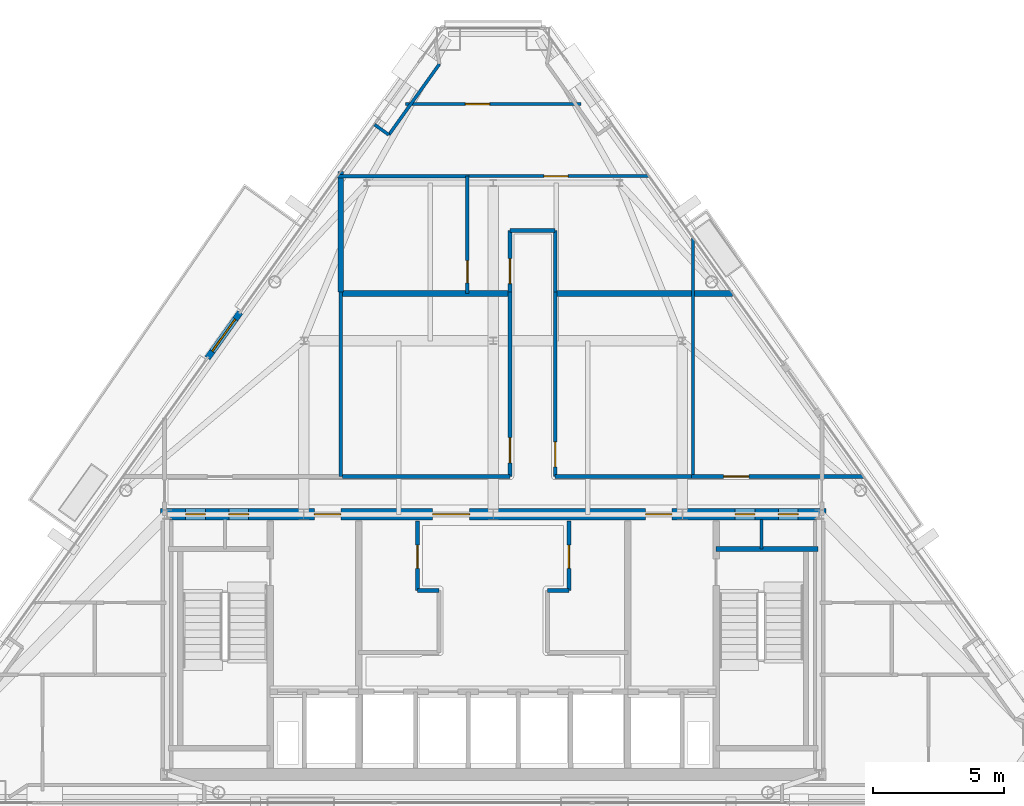
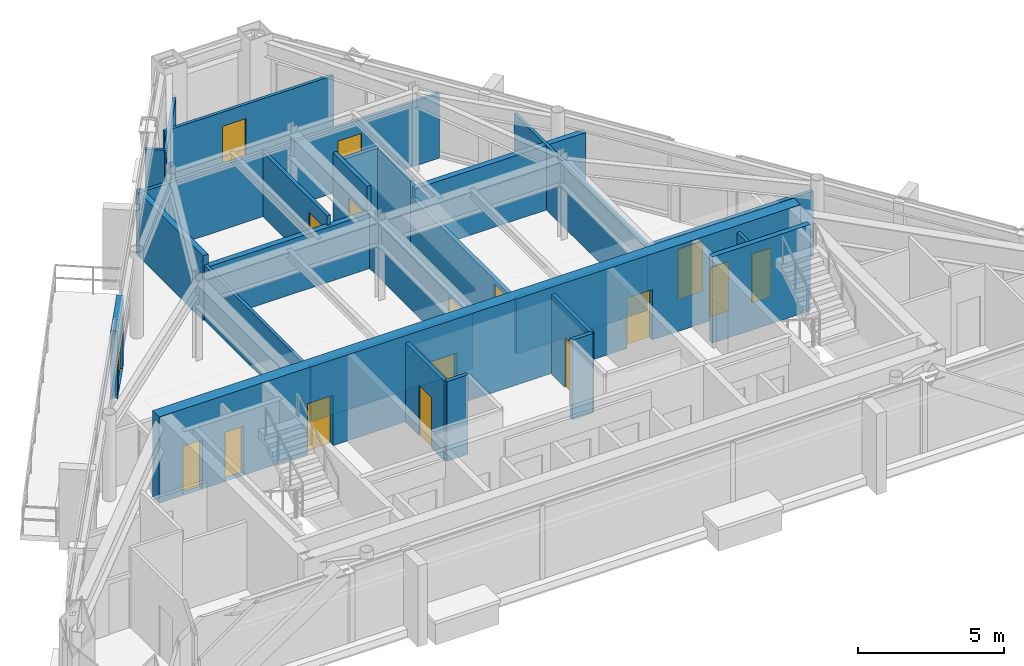
# One storey, part 9 of 12: 27 walls, 17 doors, 17 openings.
"""IFC4 building model written with IfcOpenShell, lengths in metres."""

from ifc_helpers import new_model, si_unit, direction, frame, frame_2d, origin, place, context, subcontext, project, spatial, rectangle, extrude, material, layer, layer_set, type_object, element, fill, save


model = new_model("IFC4")

# Units and contexts
model_context = context("Model", 3, precision=1e-05, world=origin(), true_north=direction((0.0, 1.0)))
body_context = subcontext(model_context, "Body", "Model", "MODEL_VIEW")
ifc_project = project(units=[si_unit("LENGTHUNIT", "METRE"), si_unit("AREAUNIT", "SQUARE_METRE"), si_unit("VOLUMEUNIT", "CUBIC_METRE"), si_unit("PLANEANGLEUNIT", "RADIAN"), si_unit("MASSUNIT", "GRAM", prefix="KILO")], contexts=[model_context])

# Site, building, storey
site_placement = place(None, origin())
site = spatial("IfcSite", under=ifc_project, at=site_placement, CompositionType="ELEMENT")
building_placement = place(site_placement, origin())
building = spatial("IfcBuilding", under=site, at=building_placement, Name="Talgorran Terracotta Tower", CompositionType="ELEMENT")
storey_placement = place(building_placement, frame((0.0, 0.0, 281.39990234375)))
storey = spatial("IfcBuildingStorey", under=building, at=storey_placement, Name="L74", CompositionType="ELEMENT", Elevation=281.39990234375)

# Wall, opening, door
ifc_material_1 = material(Name="Concrete C40/50", Category="concrete")
ifc_layer_1 = layer(ifc_material_1, 0.239990234375, Name="WT_BALCONY_SPAND")
ifc_layer_set_1 = layer_set([ifc_layer_1], Name="Concrete C40/50")
wall_type_1 = type_object("IfcWallType", Name="WT_BALCONY_SPAND", PredefinedType="STANDARD", material=ifc_layer_set_1)
wall_1_placement = place(storey_placement, frame((-9.623291015625, 3.482421875, -0.014892578125), z_axis=(0.0, 0.0, 1.0), x_axis=(-0.581238193719, -0.813733471207, 0.0)))
wall_1 = element("IfcWall", 1, at=wall_1_placement, inside=storey, type_object=wall_type_1, Name="WL-L74-BALP-BAL-NW", PredefinedType="STANDARD", context=body_context, shape_type="SweptSolid", body=[
    extrude(rectangle(XDim=2.14013671875, YDim=0.239990234375, at=frame_2d((1.070068359375, 0.0))), origin(), (0.0, 0.0, 1.0), 2.85302734375),
])
opening_1_placement = place(wall_1_placement, frame((0.320068359375, 0.0, 0.014892578125)))
opening_1 = element("IfcOpeningElement", 2, at=opening_1_placement, cuts=wall_1, Name="Opening D-BAL-L74-2", PredefinedType="OPENING", context=body_context, shape_type="SweptSolid", body=[
    extrude(rectangle(XDim=1.506, YDim=2.203951171875, at=frame_2d((0.75, 1.10205078125))), frame((0.0, 0.1298828125, 0.0), z_axis=(0.0, -1.0, 0.0), x_axis=(1.0, 0.0, 0.0)), (0.0, 0.0, 1.0), 0.260009765625),
])
ifc_material_2 = material(Name="Thermally Broken Aluminium", Category="aluminium")
door_type_1 = type_object("IfcDoorType", Name="DT_BALC_1500", OperationType="SLIDING_TO_RIGHT", PredefinedType="DOOR", material=ifc_material_2)
door_1_placement = place(opening_1_placement, origin())
door_1 = element("IfcDoor", 3, at=door_1_placement, inside=storey, type_object=door_type_1, Name="DR-L74-BAL-BAL-NW", OperationType="SLIDING_TO_RIGHT", OverallHeight=2.199951171875, OverallWidth=1.5, PredefinedType="DOOR", context=body_context, shape_type="SweptSolid", body=[
    extrude(rectangle(XDim=1.5, YDim=2.199951171875, at=frame_2d((0.75, 1.10009765625))), frame((0.0, 0.02490234375, 0.0), z_axis=(0.0, -1.0, 0.0), x_axis=(1.0, 0.0, 0.0)), (0.0, 0.0, 1.0), 0.050048828125),
])
fill(opening_1, door_1)

# Wall
ifc_material_3 = material(Name="Concrete C50/60", Category="concrete")
ifc_layer_2 = layer(ifc_material_3, 0.199951171875, Name="WT_CORE_200")
ifc_layer_set_2 = layer_set([ifc_layer_2], Name="Concrete C50/60")
wall_type_2 = type_object("IfcWallType", Name="WT_CORE_200", PredefinedType="SOLIDWALL", material=ifc_layer_set_2)
wall_2_placement = place(storey_placement, frame((8.47998046875, -5.52001953125, 0.0), z_axis=(0.0, 0.0, 1.0), x_axis=(1.0, 0.0, 0.0)))
element("IfcWall", 4, at=wall_2_placement, inside=storey, type_object=wall_type_2, Name="WL-L74-CW-ST2-N", PredefinedType="SOLIDWALL", context=body_context, shape_type="SweptSolid", body=[
    extrude(rectangle(XDim=3.8701171875, YDim=0.199951171875, at=frame_2d((1.93505859375, 0.0))), origin(), (0.0, 0.0, 1.0), 3.60009765625),
])

# Wall, openings, doors
ifc_material_4 = material(Name="Concrete C65/80", Category="concrete")
ifc_layer_3 = layer(ifc_material_4, 0.449951171875, Name="WT_CORE_EXT")
ifc_layer_set_3 = layer_set([ifc_layer_3], Name="Concrete C65/80")
wall_type_3 = type_object("IfcWallType", Name="WT_CORE_EXT", PredefinedType="SHEAR", material=ifc_layer_set_3)
wall_3_placement = place(storey_placement, frame((-12.64990234375, -4.199951171875, 0.0), z_axis=(0.0, 0.0, 1.0), x_axis=(1.0, 0.0, 0.0)))
wall_3 = element("IfcWall", 5, at=wall_3_placement, inside=storey, type_object=wall_type_3, Name="WL-L74-CW-OUT-N", PredefinedType="SHEAR", context=body_context, shape_type="SweptSolid", body=[
    extrude(rectangle(XDim=25.2998046875, YDim=0.449951171875, at=frame_2d((12.64990234375, 0.0))), origin(), (0.0, 0.0, 1.0), 3.60009765625),
])
opening_2_placement = place(wall_3_placement, frame((0.949951171875, 0.0, 0.0)))
opening_2 = element("IfcOpeningElement", 6, at=opening_2_placement, cuts=wall_3, Name="Opening DR-CSN1", PredefinedType="OPENING", context=body_context, shape_type="SweptSolid", body=[
    extrude(rectangle(XDim=0.756, YDim=2.054048828125, at=frame_2d((0.375, 1.027099609375))), frame((0.0, 0.23486328125, 0.0), z_axis=(0.0, -1.0, 0.0), x_axis=(1.0, 0.0, 0.0)), (0.0, 0.0, 1.0), 0.469970703125),
])
opening_3_placement = place(wall_3_placement, frame((2.60009765625, 0.0, 0.0)))
opening_3 = element("IfcOpeningElement", 7, at=opening_3_placement, cuts=wall_3, Name="Opening DR-CSN2", PredefinedType="OPENING", context=body_context, shape_type="SweptSolid", body=[
    extrude(rectangle(XDim=0.756, YDim=2.054048828125, at=frame_2d((0.375, 1.027099609375))), frame((0.0, 0.23486328125, 0.0), z_axis=(0.0, -1.0, 0.0), x_axis=(1.0, 0.0, 0.0)), (0.0, 0.0, 1.0), 0.469970703125),
])
opening_4_placement = place(wall_3_placement, frame((21.85009765625, 0.0, 0.0)))
opening_4 = element("IfcOpeningElement", 8, at=opening_4_placement, cuts=wall_3, Name="Opening DR-CSN3", PredefinedType="OPENING", context=body_context, shape_type="SweptSolid", body=[
    extrude(rectangle(XDim=0.756, YDim=2.054048828125, at=frame_2d((0.375, 1.027099609375))), frame((0.0, 0.23486328125, 0.0), z_axis=(0.0, -1.0, 0.0), x_axis=(1.0, 0.0, 0.0)), (0.0, 0.0, 1.0), 0.469970703125),
])
opening_5_placement = place(wall_3_placement, frame((23.5, 0.0, 0.0)))
opening_5 = element("IfcOpeningElement", 9, at=opening_5_placement, cuts=wall_3, Name="Opening DR-CSN4", PredefinedType="OPENING", context=body_context, shape_type="SweptSolid", body=[
    extrude(rectangle(XDim=0.756, YDim=2.054048828125, at=frame_2d((0.375, 1.027099609375))), frame((0.0, 0.23486328125, 0.0), z_axis=(0.0, -1.0, 0.0), x_axis=(1.0, 0.0, 0.0)), (0.0, 0.0, 1.0), 0.469970703125),
])
opening_6_placement = place(wall_3_placement, frame((5.85009765625, 0.0, 0.0)))
opening_6 = element("IfcOpeningElement", 10, at=opening_6_placement, cuts=wall_3, Name="Opening DR-FFLW-N", PredefinedType="OPENING", context=body_context, shape_type="SweptSolid", body=[
    extrude(rectangle(XDim=1.006, YDim=2.10409765625, at=frame_2d((0.5, 1.052001953125))), frame((0.0, 0.23486328125, 0.0), z_axis=(0.0, -1.0, 0.0), x_axis=(1.0, 0.0, 0.0)), (0.0, 0.0, 1.0), 0.469970703125),
])
opening_7_placement = place(wall_3_placement, frame((10.35009765625, 0.0, 0.0)))
opening_7 = element("IfcOpeningElement", 11, at=opening_7_placement, cuts=wall_3, Name="Opening DR-PLL-N", PredefinedType="OPENING", context=body_context, shape_type="SweptSolid", body=[
    extrude(rectangle(XDim=1.40590234375, YDim=2.15390234375, at=frame_2d((0.699951171875, 1.076904296875))), frame((0.0, 0.23486328125, 0.0), z_axis=(0.0, -1.0, 0.0), x_axis=(1.0, 0.0, 0.0)), (0.0, 0.0, 1.0), 0.469970703125),
])
opening_8_placement = place(wall_3_placement, frame((18.449951171875, 0.0, 0.0)))
opening_8 = element("IfcOpeningElement", 12, at=opening_8_placement, cuts=wall_3, Name="Opening DR-FFLE-N", PredefinedType="OPENING", context=body_context, shape_type="SweptSolid", body=[
    extrude(rectangle(XDim=1.006, YDim=2.10409765625, at=frame_2d((0.5, 1.052001953125))), frame((0.0, 0.23486328125, 0.0), z_axis=(0.0, -1.0, 0.0), x_axis=(1.0, 0.0, 0.0)), (0.0, 0.0, 1.0), 0.469970703125),
])
ifc_material_5 = material(Name="Acoustic Glazed Timber", Category="wood")
door_type_2 = type_object("IfcDoorType", Name="DT_DOUBLE_1400", OperationType="DOUBLE_DOOR_SINGLE_SWING", PredefinedType="DOOR", material=ifc_material_5)
door_2_placement = place(opening_7_placement, origin())
door_2 = element("IfcDoor", 13, at=door_2_placement, inside=storey, type_object=door_type_2, Name="DR-PLL-N", OperationType="DOUBLE_DOOR_SINGLE_SWING", OverallHeight=2.14990234375, OverallWidth=1.39990234375, PredefinedType="DOOR", context=body_context, shape_type="SweptSolid", body=[
    extrude(rectangle(XDim=1.39990234375, YDim=2.14990234375, at=frame_2d((0.699951171875, 1.074951171875))), frame((0.0, 0.02490234375, 0.0), z_axis=(0.0, -1.0, 0.0), x_axis=(1.0, 0.0, 0.0)), (0.0, 0.0, 1.0), 0.050048828125),
])
fill(opening_7, door_2)
ifc_material_6 = material(Name="Fire-Rated Pressed Steel", Category="steel")
door_type_3 = type_object("IfcDoorType", Name="DT_FIRE_1000", OperationType="NOTDEFINED", PredefinedType="DOOR", material=ifc_material_6)
door_3_placement = place(opening_6_placement, origin())
door_3 = element("IfcDoor", 14, at=door_3_placement, inside=storey, type_object=door_type_3, Name="DR-FFLW-N", OperationType="SINGLE_SWING_LEFT", OverallHeight=2.10009765625, OverallWidth=1.0, PredefinedType="DOOR", context=body_context, shape_type="SweptSolid", body=[
    extrude(rectangle(XDim=1.0, YDim=2.10009765625, at=frame_2d((0.5, 1.050048828125))), frame((0.0, 0.02490234375, 0.0), z_axis=(0.0, -1.0, 0.0), x_axis=(1.0, 0.0, 0.0)), (0.0, 0.0, 1.0), 0.050048828125),
])
fill(opening_6, door_3)
door_4_placement = place(opening_8_placement, origin())
door_4 = element("IfcDoor", 15, at=door_4_placement, inside=storey, type_object=door_type_3, Name="DR-FFLE-N", OperationType="SINGLE_SWING_RIGHT", OverallHeight=2.10009765625, OverallWidth=1.0, PredefinedType="DOOR", context=body_context, shape_type="SweptSolid", body=[
    extrude(rectangle(XDim=1.0, YDim=2.10009765625, at=frame_2d((0.5, 1.050048828125))), frame((0.0, 0.02490234375, 0.0), z_axis=(0.0, -1.0, 0.0), x_axis=(1.0, 0.0, 0.0)), (0.0, 0.0, 1.0), 0.050048828125),
])
fill(opening_8, door_4)
door_type_4 = type_object("IfcDoorType", Name="DT_RISER_750", OperationType="NOTDEFINED", PredefinedType="DOOR", material=ifc_material_6)
door_5_placement = place(opening_2_placement, origin())
door_5 = element("IfcDoor", 16, at=door_5_placement, inside=storey, type_object=door_type_4, Name="DR-CSN1", OperationType="SINGLE_SWING_LEFT", OverallHeight=2.050048828125, OverallWidth=0.75, PredefinedType="DOOR", context=body_context, shape_type="SweptSolid", body=[
    extrude(rectangle(XDim=0.75, YDim=2.050048828125, at=frame_2d((0.375, 1.02490234375))), frame((0.0, 0.02490234375, 0.0), z_axis=(0.0, -1.0, 0.0), x_axis=(1.0, 0.0, 0.0)), (0.0, 0.0, 1.0), 0.050048828125),
])
fill(opening_2, door_5)
door_6_placement = place(opening_3_placement, origin())
door_6 = element("IfcDoor", 17, at=door_6_placement, inside=storey, type_object=door_type_4, Name="DR-CSN2", OperationType="SINGLE_SWING_RIGHT", OverallHeight=2.050048828125, OverallWidth=0.75, PredefinedType="DOOR", context=body_context, shape_type="SweptSolid", body=[
    extrude(rectangle(XDim=0.75, YDim=2.050048828125, at=frame_2d((0.375, 1.02490234375))), frame((0.0, 0.02490234375, 0.0), z_axis=(0.0, -1.0, 0.0), x_axis=(1.0, 0.0, 0.0)), (0.0, 0.0, 1.0), 0.050048828125),
])
fill(opening_3, door_6)
door_7_placement = place(opening_4_placement, origin())
door_7 = element("IfcDoor", 18, at=door_7_placement, inside=storey, type_object=door_type_4, Name="DR-CSN3", OperationType="SINGLE_SWING_LEFT", OverallHeight=2.050048828125, OverallWidth=0.75, PredefinedType="DOOR", context=body_context, shape_type="SweptSolid", body=[
    extrude(rectangle(XDim=0.75, YDim=2.050048828125, at=frame_2d((0.375, 1.02490234375))), frame((0.0, 0.02490234375, 0.0), z_axis=(0.0, -1.0, 0.0), x_axis=(1.0, 0.0, 0.0)), (0.0, 0.0, 1.0), 0.050048828125),
])
fill(opening_4, door_7)
door_8_placement = place(opening_5_placement, origin())
door_8 = element("IfcDoor", 19, at=door_8_placement, inside=storey, type_object=door_type_4, Name="DR-CSN4", OperationType="SINGLE_SWING_RIGHT", OverallHeight=2.050048828125, OverallWidth=0.75, PredefinedType="DOOR", context=body_context, shape_type="SweptSolid", body=[
    extrude(rectangle(XDim=0.75, YDim=2.050048828125, at=frame_2d((0.375, 1.02490234375))), frame((0.0, 0.02490234375, 0.0), z_axis=(0.0, -1.0, 0.0), x_axis=(1.0, 0.0, 0.0)), (0.0, 0.0, 1.0), 0.050048828125),
])
fill(opening_5, door_8)

# Wall
ifc_material_7 = material(Name="Fire-Rated Steel Stud Plasterboard", Category="steel")
ifc_layer_4 = layer(ifc_material_7, 0.14990234375, Name="WT_FIRE_150")
ifc_layer_set_4 = layer_set([ifc_layer_4], Name="Fire-Rated Steel Stud Plasterboard")
wall_type_4 = type_object("IfcWallType", Name="WT_FIRE_150", PredefinedType="PARTITIONING", material=ifc_layer_set_4)
wall_4_placement = place(storey_placement, frame((-2.8798828125, -7.10009765625, 0.0), z_axis=(0.0, 0.0, 1.0), x_axis=(1.0, 0.0, 0.0)))
element("IfcWall", 20, at=wall_4_placement, inside=storey, type_object=wall_type_4, Name="WL-L74-CW-H-W3M2", PredefinedType="PARTITIONING", context=body_context, shape_type="SweptSolid", body=[
    extrude(rectangle(XDim=0.81982421875, YDim=0.14990234375, at=frame_2d((0.409912109375, 0.0))), origin(), (0.0, 0.0, 1.0), 3.320068359375),
])

# Wall, opening, door
wall_5_placement = place(storey_placement, frame((-2.8798828125, -7.10009765625, 0.0), z_axis=(0.0, 0.0, 1.0), x_axis=(0.0, 1.0, 0.0)))
wall_5 = element("IfcWall", 21, at=wall_5_placement, inside=storey, type_object=wall_type_4, Name="WL-L74-CW-V-W3N", PredefinedType="PARTITIONING", context=body_context, shape_type="SweptSolid", body=[
    extrude(rectangle(XDim=2.650146484375, YDim=0.14990234375, at=frame_2d((1.3251953125, 0.0))), origin(), (0.0, 0.0, 1.0), 3.320068359375),
])
opening_9_placement = place(wall_5_placement, frame((0.85009765625, 0.0, 0.0)))
opening_9 = element("IfcOpeningElement", 22, at=opening_9_placement, cuts=wall_5, Name="Opening DR-FRPLL-B", PredefinedType="OPENING", context=body_context, shape_type="SweptSolid", body=[
    extrude(rectangle(XDim=0.8858828125, YDim=2.10409765625, at=frame_2d((0.43994140625, 1.052001953125))), frame((0.0, 0.0849609375, 0.0), z_axis=(0.0, -1.0, 0.0), x_axis=(1.0, 0.0, 0.0)), (0.0, 0.0, 1.0), 0.169921875),
])
ifc_material_8 = material(Name="Solid-Core Painted Timber", Category="wood")
door_type_5 = type_object("IfcDoorType", Name="DT_INT_880", OperationType="NOTDEFINED", PredefinedType="DOOR", material=ifc_material_8)
door_9_placement = place(opening_9_placement, origin())
door_9 = element("IfcDoor", 23, at=door_9_placement, inside=storey, type_object=door_type_5, Name="DR-FRPLL-B", OperationType="SINGLE_SWING_LEFT", OverallHeight=2.10009765625, OverallWidth=0.8798828125, PredefinedType="DOOR", context=body_context, shape_type="SweptSolid", body=[
    extrude(rectangle(XDim=0.8798828125, YDim=2.10009765625, at=frame_2d((0.43994140625, 1.050048828125))), frame((0.0, 0.02490234375, 0.0), z_axis=(0.0, -1.0, 0.0), x_axis=(1.0, 0.0, 0.0)), (0.0, 0.0, 1.0), 0.050048828125),
])
fill(opening_9, door_9)

# Wall
wall_6_placement = place(storey_placement, frame((2.06005859375, -7.10009765625, 0.0), z_axis=(0.0, 0.0, 1.0), x_axis=(1.0, 0.0, 0.0)))
element("IfcWall", 24, at=wall_6_placement, inside=storey, type_object=wall_type_4, Name="WL-L74-CW-H-E3M2", PredefinedType="PARTITIONING", context=body_context, shape_type="SweptSolid", body=[
    extrude(rectangle(XDim=0.81982421875, YDim=0.14990234375, at=frame_2d((0.409912109375, 0.0))), origin(), (0.0, 0.0, 1.0), 3.320068359375),
])

# Wall, opening, door
wall_7_placement = place(storey_placement, frame((2.8798828125, -7.10009765625, 0.0), z_axis=(0.0, 0.0, 1.0), x_axis=(0.0, 1.0, 0.0)))
wall_7 = element("IfcWall", 25, at=wall_7_placement, inside=storey, type_object=wall_type_4, Name="WL-L74-CW-V-E3N", PredefinedType="PARTITIONING", context=body_context, shape_type="SweptSolid", body=[
    extrude(rectangle(XDim=2.650146484375, YDim=0.14990234375, at=frame_2d((1.3251953125, 0.0))), origin(), (0.0, 0.0, 1.0), 3.320068359375),
])
opening_10_placement = place(wall_7_placement, frame((0.85009765625, 0.0, 0.0)))
opening_10 = element("IfcOpeningElement", 26, at=opening_10_placement, cuts=wall_7, Name="Opening DR-FRPLM-B", PredefinedType="OPENING", context=body_context, shape_type="SweptSolid", body=[
    extrude(rectangle(XDim=0.8858828125, YDim=2.10409765625, at=frame_2d((0.43994140625, 1.052001953125))), frame((0.0, 0.0849609375, 0.0), z_axis=(0.0, -1.0, 0.0), x_axis=(1.0, 0.0, 0.0)), (0.0, 0.0, 1.0), 0.169921875),
])
door_10_placement = place(opening_10_placement, origin())
door_10 = element("IfcDoor", 27, at=door_10_placement, inside=storey, type_object=door_type_5, Name="DR-FRPLM-B", OperationType="SINGLE_SWING_RIGHT", OverallHeight=2.10009765625, OverallWidth=0.8798828125, PredefinedType="DOOR", context=body_context, shape_type="SweptSolid", body=[
    extrude(rectangle(XDim=0.8798828125, YDim=2.10009765625, at=frame_2d((0.43994140625, 1.050048828125))), frame((0.0, 0.02490234375, 0.0), z_axis=(0.0, -1.0, 0.0), x_axis=(1.0, 0.0, 0.0)), (0.0, 0.0, 1.0), 0.050048828125),
])
fill(opening_10, door_10)

wall_8_placement = place(storey_placement, frame((0.639892578125, -2.760009765625, 0.0), z_axis=(0.0, 0.0, 1.0), x_axis=(0.0, 1.0, 0.0)))
wall_8 = element("IfcWall", 28, at=wall_8_placement, inside=storey, type_object=wall_type_4, Name="WL-L74-W-L74-R05", PredefinedType="PARTITIONING", context=body_context, shape_type="SweptSolid", body=[
    extrude(rectangle(XDim=7.02001953125, YDim=0.14990234375, at=frame_2d((3.510009765625, 0.0))), origin(), (0.0, 0.0, 1.0), 2.295166015625),
])
opening_11_placement = place(wall_8_placement, frame((0.519287109375, 0.0, 0.0)))
opening_11 = element("IfcOpeningElement", 29, at=opening_11_placement, cuts=wall_8, Name="Opening DR-L74-R12", PredefinedType="OPENING", context=body_context, shape_type="SweptSolid", body=[
    extrude(rectangle(XDim=0.955951171875, YDim=2.10409765625, at=frame_2d((0.47509765625, 1.052001953125))), frame((0.0, 0.0849609375, 0.0), z_axis=(0.0, -1.0, 0.0), x_axis=(1.0, 0.0, 0.0)), (0.0, 0.0, 1.0), 0.169921875),
])
ifc_material_9 = material(Name="Fire-Rated Timber Core", Category="wood")
door_type_6 = type_object("IfcDoorType", Name="DT_FIRE_950", OperationType="NOTDEFINED", PredefinedType="DOOR", material=ifc_material_9)
door_11_placement = place(opening_11_placement, origin())
door_11 = element("IfcDoor", 30, at=door_11_placement, inside=storey, type_object=door_type_6, Name="DR-L74-R12", OperationType="SINGLE_SWING_RIGHT", OverallHeight=2.10009765625, OverallWidth=0.949951171875, PredefinedType="DOOR", context=body_context, shape_type="SweptSolid", body=[
    extrude(rectangle(XDim=0.949951171875, YDim=2.10009765625, at=frame_2d((0.47509765625, 1.050048828125))), frame((0.0, 0.02490234375, 0.0), z_axis=(0.0, -1.0, 0.0), x_axis=(1.0, 0.0, 0.0)), (0.0, 0.0, 1.0), 0.050048828125),
])
fill(opening_11, door_11)

wall_9_placement = place(storey_placement, frame((2.360107421875, -2.760009765625, 0.0), z_axis=(0.0, 0.0, 1.0), x_axis=(0.0, 1.0, 0.0)))
wall_9 = element("IfcWall", 31, at=wall_9_placement, inside=storey, type_object=wall_type_4, Name="WL-L74-W-L74-R06", PredefinedType="PARTITIONING", context=body_context, shape_type="SweptSolid", body=[
    extrude(rectangle(XDim=7.02001953125, YDim=0.14990234375, at=frame_2d((3.510009765625, 0.0))), origin(), (0.0, 0.0, 1.0), 2.295166015625),
])
opening_12_placement = place(wall_9_placement, frame((0.359619140625, 0.0, 0.0)))
opening_12 = element("IfcOpeningElement", 32, at=opening_12_placement, cuts=wall_9, Name="Opening DR-L74-R13", PredefinedType="OPENING", context=body_context, shape_type="SweptSolid", body=[
    extrude(rectangle(XDim=0.955951171875, YDim=2.10409765625, at=frame_2d((0.47509765625, 1.052001953125))), frame((0.0, 0.0849609375, 0.0), z_axis=(0.0, -1.0, 0.0), x_axis=(1.0, 0.0, 0.0)), (0.0, 0.0, 1.0), 0.169921875),
])
door_12_placement = place(opening_12_placement, origin())
door_12 = element("IfcDoor", 33, at=door_12_placement, inside=storey, type_object=door_type_6, Name="DR-L74-R13", OperationType="SINGLE_SWING_LEFT", OverallHeight=2.10009765625, OverallWidth=0.949951171875, PredefinedType="DOOR", context=body_context, shape_type="SweptSolid", body=[
    extrude(rectangle(XDim=0.949951171875, YDim=2.10009765625, at=frame_2d((0.47509765625, 1.050048828125))), frame((0.0, 0.02490234375, 0.0), z_axis=(0.0, -1.0, 0.0), x_axis=(1.0, 0.0, 0.0)), (0.0, 0.0, 1.0), 0.050048828125),
])
fill(opening_12, door_12)

wall_10_placement = place(storey_placement, frame((7.5400390625, -2.760009765625, 0.0), z_axis=(0.0, 0.0, 1.0), x_axis=(1.0, 0.0, 0.0)))
wall_10 = element("IfcWall", 34, at=wall_10_placement, inside=storey, type_object=wall_type_4, Name="WL-L74-W-L74-R08", PredefinedType="PARTITIONING", context=body_context, shape_type="SweptSolid", body=[
    extrude(rectangle(XDim=6.542236328125, YDim=0.14990234375, at=frame_2d((3.27099609375, 0.0))), origin(), (0.0, 0.0, 1.0), 2.693115234375),
])
opening_13_placement = place(wall_10_placement, frame((1.231201171875, 0.0, 0.0)))
opening_13 = element("IfcOpeningElement", 35, at=opening_13_placement, cuts=wall_10, Name="Opening DR-L74-R14", PredefinedType="OPENING", context=body_context, shape_type="SweptSolid", body=[
    extrude(rectangle(XDim=0.955951171875, YDim=2.10409765625, at=frame_2d((0.47509765625, 1.052001953125))), frame((0.0, 0.0849609375, 0.0), z_axis=(0.0, -1.0, 0.0), x_axis=(1.0, 0.0, 0.0)), (0.0, 0.0, 1.0), 0.169921875),
])
door_13_placement = place(opening_13_placement, origin())
door_13 = element("IfcDoor", 36, at=door_13_placement, inside=storey, type_object=door_type_6, Name="DR-L74-R14", OperationType="SINGLE_SWING_RIGHT", OverallHeight=2.10009765625, OverallWidth=0.949951171875, PredefinedType="DOOR", context=body_context, shape_type="SweptSolid", body=[
    extrude(rectangle(XDim=0.949951171875, YDim=2.10009765625, at=frame_2d((0.47509765625, 1.050048828125))), frame((0.0, 0.02490234375, 0.0), z_axis=(0.0, -1.0, 0.0), x_axis=(1.0, 0.0, 0.0)), (0.0, 0.0, 1.0), 0.050048828125),
])
fill(opening_13, door_13)

# Walls
wall_11_placement = place(storey_placement, frame((-5.738037109375, -2.760009765625, 0.0), z_axis=(0.0, 0.0, 1.0), x_axis=(1.0, 0.0, 0.0)))
element("IfcWall", 37, at=wall_11_placement, inside=storey, type_object=wall_type_4, Name="WL-L74-W-L74-R04", PredefinedType="PARTITIONING", context=body_context, shape_type="SweptSolid", body=[
    extrude(rectangle(XDim=6.3779296875, YDim=0.14990234375, at=frame_2d((3.18896484375, 0.0))), origin(), (0.0, 0.0, 1.0), 2.295166015625),
])
wall_12_placement = place(storey_placement, frame((2.360107421875, -2.760009765625, 0.0), z_axis=(0.0, 0.0, 1.0), x_axis=(1.0, 0.0, 0.0)))
element("IfcWall", 38, at=wall_12_placement, inside=storey, type_object=wall_type_4, Name="WL-L74-W-L74-R07", PredefinedType="PARTITIONING", context=body_context, shape_type="SweptSolid", body=[
    extrude(rectangle(XDim=5.177978515625, YDim=0.14990234375, at=frame_2d((2.5888671875, 0.0))), origin(), (0.0, 0.0, 1.0), 2.295166015625),
])

# Wall, opening, door
wall_13_placement = place(storey_placement, frame((0.639892578125, 4.261962890625, 0.0), z_axis=(0.0, 0.0, 1.0), x_axis=(0.0, 1.0, 0.0)))
wall_13 = element("IfcWall", 39, at=wall_13_placement, inside=storey, type_object=wall_type_4, Name="WL-L74-W-L74-R09", PredefinedType="PARTITIONING", context=body_context, shape_type="SweptSolid", body=[
    extrude(rectangle(XDim=2.338134765625, YDim=0.14990234375, at=frame_2d((1.1689453125, 0.0))), origin(), (0.0, 0.0, 1.0), 3.320068359375),
])
opening_14_placement = place(wall_13_placement, frame((0.3154296875, 0.0, 0.0)))
opening_14 = element("IfcOpeningElement", 40, at=opening_14_placement, cuts=wall_13, Name="Opening DR-L74-R15", PredefinedType="OPENING", context=body_context, shape_type="SweptSolid", body=[
    extrude(rectangle(XDim=0.955951171875, YDim=2.10409765625, at=frame_2d((0.47509765625, 1.052001953125))), frame((0.0, 0.0849609375, 0.0), z_axis=(0.0, -1.0, 0.0), x_axis=(1.0, 0.0, 0.0)), (0.0, 0.0, 1.0), 0.169921875),
])
door_14_placement = place(opening_14_placement, origin())
door_14 = element("IfcDoor", 41, at=door_14_placement, inside=storey, type_object=door_type_6, Name="DR-L74-R15", OperationType="SINGLE_SWING_LEFT", OverallHeight=2.10009765625, OverallWidth=0.949951171875, PredefinedType="DOOR", context=body_context, shape_type="SweptSolid", body=[
    extrude(rectangle(XDim=0.949951171875, YDim=2.10009765625, at=frame_2d((0.47509765625, 1.050048828125))), frame((0.0, 0.02490234375, 0.0), z_axis=(0.0, -1.0, 0.0), x_axis=(1.0, 0.0, 0.0)), (0.0, 0.0, 1.0), 0.050048828125),
])
fill(opening_14, door_14)

# Walls
wall_14_placement = place(storey_placement, frame((2.360107421875, 4.261962890625, 0.0), z_axis=(0.0, 0.0, 1.0), x_axis=(0.0, 1.0, 0.0)))
element("IfcWall", 42, at=wall_14_placement, inside=storey, type_object=wall_type_4, Name="WL-L74-W-L74-R11", PredefinedType="PARTITIONING", context=body_context, shape_type="SweptSolid", body=[
    extrude(rectangle(XDim=2.338134765625, YDim=0.14990234375, at=frame_2d((1.1689453125, 0.0))), origin(), (0.0, 0.0, 1.0), 2.939453125),
])
wall_15_placement = place(storey_placement, frame((0.639892578125, 6.60009765625, 0.0), z_axis=(0.0, 0.0, 1.0), x_axis=(1.0, 0.0, 0.0)))
element("IfcWall", 43, at=wall_15_placement, inside=storey, type_object=wall_type_4, Name="WL-L74-W-L74-R10", PredefinedType="PARTITIONING", context=body_context, shape_type="SweptSolid", body=[
    extrude(rectangle(XDim=1.72021484375, YDim=0.14990234375, at=frame_2d((0.860107421875, 0.0))), origin(), (0.0, 0.0, 1.0), 2.939453125),
])
ifc_material_10 = material(Name="Acoustic Masonry and Plasterboard", Category="masonry")
ifc_layer_5 = layer(ifc_material_10, 0.219970703125, Name="WT_PARTY_220")
ifc_layer_set_5 = layer_set([ifc_layer_5], Name="Acoustic Masonry and Plasterboard")
wall_type_5 = type_object("IfcWallType", Name="WT_PARTY_220", PredefinedType="PARTITIONING", material=ifc_layer_set_5)
wall_16_placement = place(storey_placement, frame((2.360107421875, 4.199951171875, 0.0), z_axis=(0.0, 0.0, 1.0), x_axis=(1.0, 0.0, 0.0)))
element("IfcWall", 44, at=wall_16_placement, inside=storey, type_object=wall_type_5, Name="WL-L74-W-L74-R32", PredefinedType="PARTITIONING", context=body_context, shape_type="SweptSolid", body=[
    extrude(rectangle(XDim=6.75048828125, YDim=0.219970703125, at=frame_2d((3.375244140625, 0.0))), origin(), (0.0, 0.0, 1.0), 2.693115234375),
])
wall_17_placement = place(storey_placement, frame((-5.800048828125, 4.199951171875, 0.0), z_axis=(0.0, 0.0, 1.0), x_axis=(1.0, 0.0, 0.0)))
element("IfcWall", 45, at=wall_17_placement, inside=storey, type_object=wall_type_5, Name="WL-L74-W-L74-R30", PredefinedType="PARTITIONING", context=body_context, shape_type="SweptSolid", body=[
    extrude(rectangle(XDim=6.43994140625, YDim=0.219970703125, at=frame_2d((3.219970703125, 0.0))), origin(), (0.0, 0.0, 1.0), 2.295166015625),
])
wall_18_placement = place(storey_placement, frame((-5.800048828125, 4.261962890625, 0.0), z_axis=(0.0, 0.0, 1.0), x_axis=(0.0, 1.0, 0.0)))
element("IfcWall", 46, at=wall_18_placement, inside=storey, type_object=wall_type_5, Name="WL-L74-W-L74-R28", PredefinedType="PARTITIONING", context=body_context, shape_type="SweptSolid", body=[
    extrude(rectangle(XDim=4.572998046875, YDim=0.219970703125, at=frame_2d((2.28662109375, 0.0))), origin(), (0.0, 0.0, 1.0), 2.693115234375),
])
ifc_material_11 = material(Name="Insulated Steel Stud Plasterboard", Category="steel")
ifc_layer_6 = layer(ifc_material_11, 0.1201171875, Name="WT_PART_120")
ifc_layer_set_6 = layer_set([ifc_layer_6], Name="Insulated Steel Stud Plasterboard")
wall_type_6 = type_object("IfcWallType", Name="WT_PART_120", PredefinedType="PARTITIONING", material=ifc_layer_set_6)
wall_19_placement = place(storey_placement, frame((10.199951171875, -5.52001953125, 0.0), z_axis=(0.0, 0.0, 1.0), x_axis=(0.0, 1.0, 0.0)))
element("IfcWall", 47, at=wall_19_placement, inside=storey, type_object=wall_type_6, Name="WL-L74-CW-CSE-DIV", PredefinedType="PARTITIONING", context=body_context, shape_type="SweptSolid", body=[
    extrude(rectangle(XDim=1.1201171875, YDim=0.1201171875, at=frame_2d((0.56005859375, 0.0))), origin(), (0.0, 0.0, 1.0), 3.320068359375),
])
wall_20_placement = place(storey_placement, frame((7.60009765625, -2.760009765625, 0.0), z_axis=(0.0, 0.0, 1.0), x_axis=(0.0, 1.0, 0.0)))
element("IfcWall", 48, at=wall_20_placement, inside=storey, type_object=wall_type_6, Name="WL-L74-W-L74-R31", PredefinedType="PARTITIONING", context=body_context, shape_type="SweptSolid", body=[
    extrude(rectangle(XDim=9.074951171875, YDim=0.1201171875, at=frame_2d((4.53759765625, 0.0))), origin(), (0.0, 0.0, 1.0), 2.693115234375),
])
wall_21_placement = place(storey_placement, frame((-5.800048828125, -2.760009765625, 0.0), z_axis=(0.0, 0.0, 1.0), x_axis=(0.0, 1.0, 0.0)))
element("IfcWall", 49, at=wall_21_placement, inside=storey, type_object=wall_type_6, Name="WL-L74-W-L74-R27", PredefinedType="PARTITIONING", context=body_context, shape_type="SweptSolid", body=[
    extrude(rectangle(XDim=7.02001953125, YDim=0.1201171875, at=frame_2d((3.510009765625, 0.0))), origin(), (0.0, 0.0, 1.0), 2.295166015625),
])

# Wall, opening, door
wall_22_placement = place(storey_placement, frame((-0.97998046875, 8.659912109375, 0.0), z_axis=(0.0, 0.0, 1.0), x_axis=(1.0, 0.0, 0.0)))
wall_22 = element("IfcWall", 50, at=wall_22_placement, inside=storey, type_object=wall_type_6, Name="WL-L74-W-L74-R33", PredefinedType="PARTITIONING", context=body_context, shape_type="SweptSolid", body=[
    extrude(rectangle(XDim=6.90478515625, YDim=0.1201171875, at=frame_2d((3.452392578125, 0.0))), origin(), (0.0, 0.0, 1.0), 2.693115234375),
])
opening_15_placement = place(wall_22_placement, frame((2.908447265625, 0.0, 0.0)))
opening_15 = element("IfcOpeningElement", 51, at=opening_15_placement, cuts=wall_22, Name="Opening DR-L74-R16", PredefinedType="OPENING", context=body_context, shape_type="SweptSolid", body=[
    extrude(rectangle(XDim=0.925921875, YDim=2.10409765625, at=frame_2d((0.4599609375, 1.052001953125))), frame((0.0, 0.070068359375, 0.0), z_axis=(0.0, -1.0, 0.0), x_axis=(1.0, 0.0, 0.0)), (0.0, 0.0, 1.0), 0.14013671875),
])
door_type_7 = type_object("IfcDoorType", Name="DT_INT_920", OperationType="NOTDEFINED", PredefinedType="DOOR", material=ifc_material_8)
door_15_placement = place(opening_15_placement, origin())
door_15 = element("IfcDoor", 52, at=door_15_placement, inside=storey, type_object=door_type_7, Name="DR-L74-R16", OperationType="SINGLE_SWING_RIGHT", OverallHeight=2.10009765625, OverallWidth=0.919921875, PredefinedType="DOOR", context=body_context, shape_type="SweptSolid", body=[
    extrude(rectangle(XDim=0.919921875, YDim=2.10009765625, at=frame_2d((0.4599609375, 1.050048828125))), frame((0.0, 0.02490234375, 0.0), z_axis=(0.0, -1.0, 0.0), x_axis=(1.0, 0.0, 0.0)), (0.0, 0.0, 1.0), 0.050048828125),
])
fill(opening_15, door_15)

wall_23_placement = place(storey_placement, frame((-3.340087890625, 11.39990234375, 0.0), z_axis=(0.0, 0.0, 1.0), x_axis=(1.0, 0.0, 0.0)))
wall_23 = element("IfcWall", 53, at=wall_23_placement, inside=storey, type_object=wall_type_6, Name="WL-L74-W-L74-R35", PredefinedType="PARTITIONING", context=body_context, shape_type="SweptSolid", body=[
    extrude(rectangle(XDim=6.68017578125, YDim=0.1201171875, at=frame_2d((3.340087890625, 0.0))), origin(), (0.0, 0.0, 1.0), 2.693115234375),
])
opening_16_placement = place(wall_23_placement, frame((2.28466796875, 0.0, 0.0)))
opening_16 = element("IfcOpeningElement", 54, at=opening_16_placement, cuts=wall_23, Name="Opening DR-L74-R17", PredefinedType="OPENING", context=body_context, shape_type="SweptSolid", body=[
    extrude(rectangle(XDim=0.925921875, YDim=2.10409765625, at=frame_2d((0.4599609375, 1.052001953125))), frame((0.0, 0.070068359375, 0.0), z_axis=(0.0, -1.0, 0.0), x_axis=(1.0, 0.0, 0.0)), (0.0, 0.0, 1.0), 0.14013671875),
])
door_16_placement = place(opening_16_placement, origin())
door_16 = element("IfcDoor", 55, at=door_16_placement, inside=storey, type_object=door_type_7, Name="DR-L74-R17", OperationType="SINGLE_SWING_LEFT", OverallHeight=2.10009765625, OverallWidth=0.919921875, PredefinedType="DOOR", context=body_context, shape_type="SweptSolid", body=[
    extrude(rectangle(XDim=0.919921875, YDim=2.10009765625, at=frame_2d((0.4599609375, 1.050048828125))), frame((0.0, 0.02490234375, 0.0), z_axis=(0.0, -1.0, 0.0), x_axis=(1.0, 0.0, 0.0)), (0.0, 0.0, 1.0), 0.050048828125),
])
fill(opening_16, door_16)

# Walls
wall_24_placement = place(storey_placement, frame((-2.04296875, 12.9248046875, 0.0), z_axis=(0.0, 0.0, 1.0), x_axis=(-0.581266097275, -0.813713539373, 0.0)))
element("IfcWall", 56, at=wall_24_placement, inside=storey, type_object=wall_type_6, Name="WL-L74-BW-L74-14", PredefinedType="PARTITIONING", context=body_context, shape_type="SweptSolid", body=[
    extrude(rectangle(XDim=3.310546875, YDim=0.1201171875, at=frame_2d((1.6552734375, 0.0))), origin(), (0.0, 0.0, 1.0), 2.693115234375),
])
wall_25_placement = place(storey_placement, frame((-3.96728515625, 10.23095703125, 0.0), z_axis=(0.0, 0.0, 1.0), x_axis=(-0.813733471207, 0.581238193719, 0.0)))
element("IfcWall", 57, at=wall_25_placement, inside=storey, type_object=wall_type_6, Name="WL-L74-BW-L74-15", PredefinedType="PARTITIONING", context=body_context, shape_type="SweptSolid", body=[
    extrude(rectangle(XDim=0.669921875, YDim=0.1201171875, at=frame_2d((0.3349609375, 0.0))), origin(), (0.0, 0.0, 1.0), 2.838134765625),
])
ifc_material_12 = material(Name="Moisture-Resistant Stud Wall")
ifc_layer_7 = layer(ifc_material_12, 0.135009765625, Name="WT_PART_135")
ifc_layer_set_7 = layer_set([ifc_layer_7], Name="Moisture-Resistant Stud Wall")
wall_type_7 = type_object("IfcWallType", Name="WT_PART_135", PredefinedType="PARTITIONING", material=ifc_layer_set_7)
wall_26_placement = place(storey_placement, frame((-5.9248046875, 8.659912109375, 0.0), z_axis=(0.0, 0.0, 1.0), x_axis=(1.0, 0.0, 0.0)))
element("IfcWall", 58, at=wall_26_placement, inside=storey, type_object=wall_type_7, Name="WL-L74-W-L74-R36", PredefinedType="PARTITIONING", context=body_context, shape_type="SweptSolid", body=[
    extrude(rectangle(XDim=5.0048828125, YDim=0.135009765625, at=frame_2d((2.50244140625, 0.0))), origin(), (0.0, 0.0, 1.0), 2.693115234375),
])

# Wall, opening, door
wall_27_placement = place(storey_placement, frame((-0.97998046875, 4.199951171875, 0.0), z_axis=(0.0, 0.0, 1.0), x_axis=(0.0, 1.0, 0.0)))
wall_27 = element("IfcWall", 59, at=wall_27_placement, inside=storey, type_object=wall_type_7, Name="WL-L74-W-L74-R34", PredefinedType="PARTITIONING", context=body_context, shape_type="SweptSolid", body=[
    extrude(rectangle(XDim=4.4599609375, YDim=0.135009765625, at=frame_2d((2.22998046875, 0.0))), origin(), (0.0, 0.0, 1.0), 2.693115234375),
])
opening_17_placement = place(wall_27_placement, frame((0.3974609375, 0.0, 0.0)))
opening_17 = element("IfcOpeningElement", 60, at=opening_17_placement, cuts=wall_27, Name="Opening DR-L74-R18", PredefinedType="OPENING", context=body_context, shape_type="SweptSolid", body=[
    extrude(rectangle(XDim=0.85609765625, YDim=2.10409765625, at=frame_2d((0.425048828125, 1.052001953125))), frame((0.0, 0.07763671875, 0.0), z_axis=(0.0, -1.0, 0.0), x_axis=(1.0, 0.0, 0.0)), (0.0, 0.0, 1.0), 0.155029296875),
])
ifc_material_13 = material(Name="Moisture-Resistant Solid Timber", Category="wood")
door_type_8 = type_object("IfcDoorType", Name="DT_INT_850", OperationType="NOTDEFINED", PredefinedType="DOOR", material=ifc_material_13)
door_17_placement = place(opening_17_placement, origin())
door_17 = element("IfcDoor", 61, at=door_17_placement, inside=storey, type_object=door_type_8, Name="DR-L74-R18", OperationType="SINGLE_SWING_RIGHT", OverallHeight=2.10009765625, OverallWidth=0.85009765625, PredefinedType="DOOR", context=body_context, shape_type="SweptSolid", body=[
    extrude(rectangle(XDim=0.85009765625, YDim=2.10009765625, at=frame_2d((0.425048828125, 1.050048828125))), frame((0.0, 0.02490234375, 0.0), z_axis=(0.0, -1.0, 0.0), x_axis=(1.0, 0.0, 0.0)), (0.0, 0.0, 1.0), 0.050048828125),
])
fill(opening_17, door_17)

save(model, "model.ifc")
